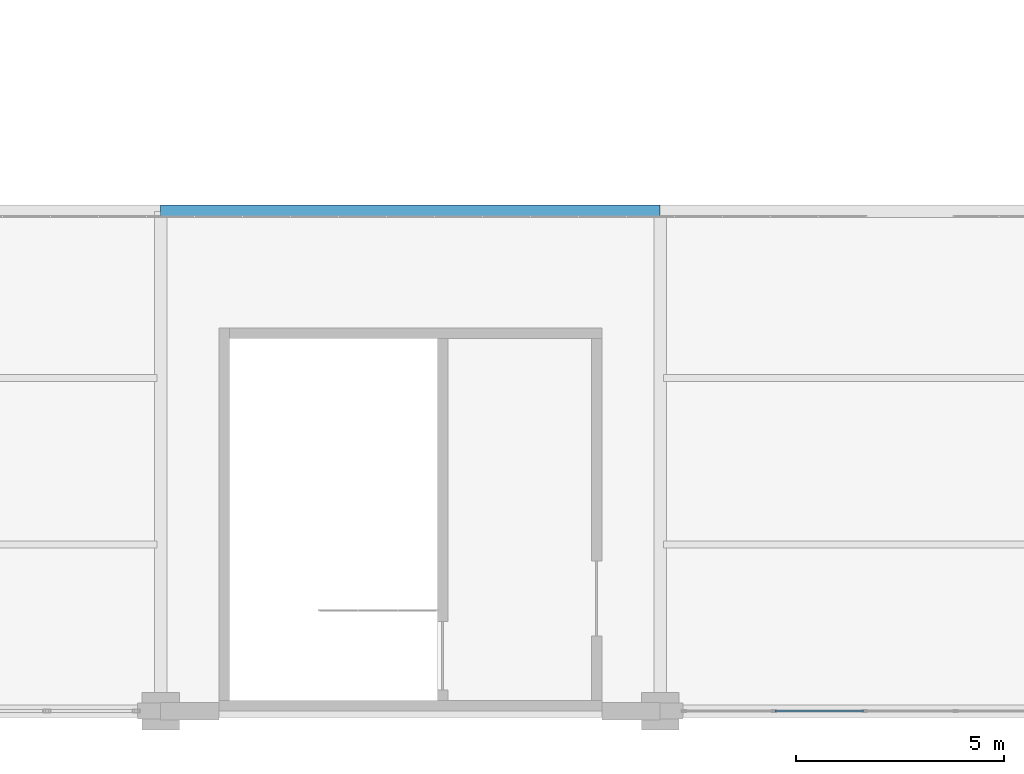
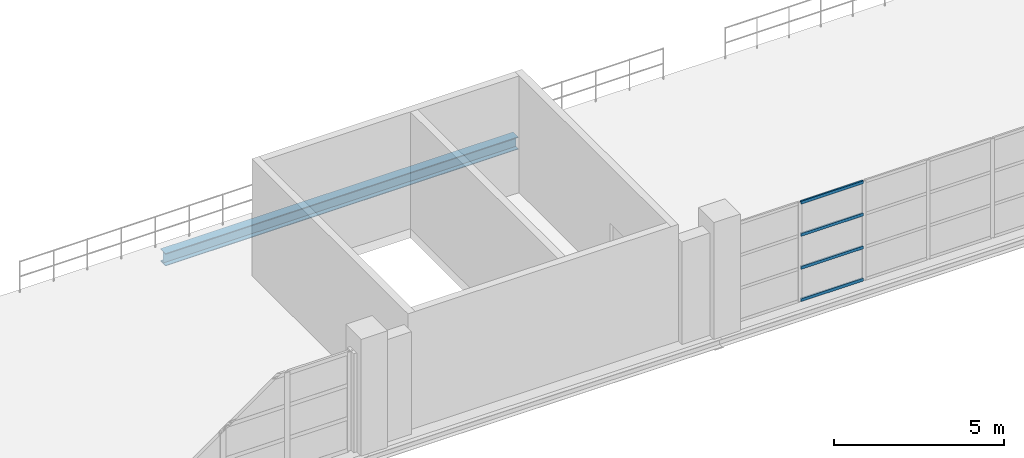
# One storey, part 66 of 158: 4 members, 1 beam, 1 element without a shape of its own.
"""IFC4 building model written with IfcOpenShell, lengths in metres."""

from ifc_helpers import new_model, si_unit, direction, frame, origin, origin_2d, place, context, subcontext, project, spatial, hollow_rectangle, i_section, extrude, material, layer, layer_set, material_profile, profile_set, type_object, element, aggregate, save


model = new_model("IFC4")

# Units and contexts
model_context = context("Model", 3, precision=1e-05, world=origin(), true_north=direction((0.0, 1.0)))
body_context = subcontext(model_context, "Body", "Model", "MODEL_VIEW")
ifc_project = project(units=[si_unit("LENGTHUNIT", "METRE"), si_unit("AREAUNIT", "SQUARE_METRE"), si_unit("VOLUMEUNIT", "CUBIC_METRE"), si_unit("PLANEANGLEUNIT", "RADIAN"), si_unit("MASSUNIT", "GRAM", prefix="KILO")], contexts=[model_context])

# Site, building, storey
site_placement = place(None, origin())
site = spatial("IfcSite", under=ifc_project, at=site_placement, CompositionType="ELEMENT")
building_placement = place(site_placement, origin())
building = spatial("IfcBuilding", under=site, at=building_placement, Name="Zilviju Railside Exhibition Hall", CompositionType="ELEMENT")
storey_placement = place(building_placement, frame((0.0, 0.0, 4.199951171875)))
storey = spatial("IfcBuildingStorey", under=building, at=storey_placement, Name="L02", CompositionType="ELEMENT", Elevation=4.199951171875)

# Beam
ifc_material_1 = material(Name="Steel S355J2", Category="steel")
ifc_material_profile_1 = material_profile(ifc_material_1, i_section(OverallWidth=0.300048828125, OverallDepth=0.449951171875, WebThickness=0.013916015625, FlangeThickness=0.02587890625, at=origin_2d()), Name="HEB 450")
ifc_profile_set_1 = profile_set([ifc_material_profile_1], Name="Steel S355J2")
beam_type = type_object("IfcBeamType", Name="BM-HEB450", PredefinedType="BEAM", material=ifc_profile_set_1)
beam_placement = place(storey_placement, frame((144.0, 12.0, -0.554931640625), z_axis=(1.0, 0.0, 0.0), x_axis=(0.0, 1.0, 0.0)))
element("IfcBeam", 1, at=beam_placement, inside=storey, type_object=beam_type, Name="Primary Girder L02 Y=12.0 (144.0..156.0)", PredefinedType="BEAM", context=body_context, shape_type="SweptSolid", body=[
    extrude(i_section(OverallWidth=0.300048828125, OverallDepth=0.449951171875, WebThickness=0.013916015625, FlangeThickness=0.02587890625, at=origin_2d()), origin(), (0.0, 0.0, 1.0), 12.0),
])

# Curtain wall, members
ifc_material_2 = material(Name="Thermally broken aluminium-steel triple-glazed curtain wall", Category="steel")
ifc_layer = layer(ifc_material_2, 0.179931640625)
ifc_layer_set = layer_set([ifc_layer], Name="Thermally broken aluminium-steel triple-glazed curtain wall")
curtain_wall_type = type_object("IfcCurtainWallType", Name="CW-BAY-12", PredefinedType="USERDEFINED", material=ifc_layer_set)
curtain_wall_placement = place(storey_placement, origin())
curtain_wall = element("IfcCurtainWall", 2, at=curtain_wall_placement, inside=storey, type_object=curtain_wall_type, Name="South Hall Facade Curtain Wall L02 (156..168)", ObjectType="GLAZED CURTAIN WALL", PredefinedType="USERDEFINED")
ifc_material_3 = material(Name="Thermally broken anodized aluminium transom", Category="aluminium")
ifc_material_profile_2 = material_profile(ifc_material_3, hollow_rectangle(XDim=0.054931640625, YDim=0.10498046875, WallThickness=0.0048828125, at=origin_2d()), Name="TRANSOM 105x55x5")
ifc_profile_set_2 = profile_set([ifc_material_profile_2], Name="Thermally broken anodized aluminium transom")
member_type = type_object("IfcMemberType", Name="CWT-55x105", PredefinedType="USERDEFINED", material=ifc_profile_set_2)
member_1_placement = place(storey_placement, frame((160.882568359375, 0.0, 0.027587890625), z_axis=(-1.0, 0.0, 0.0), x_axis=(0.0, -1.0, 0.0)))
member_1 = element("IfcMember", 3, at=member_1_placement, type_object=member_type, Name="CW-12 transom 4.1", ObjectType="TRANSOM", PredefinedType="USERDEFINED", context=body_context, shape_type="SweptSolid", body=[
    extrude(hollow_rectangle(XDim=0.054931640625, YDim=0.10498046875, WallThickness=0.0048828125, at=origin_2d()), origin(), (0.0, 0.0, 1.0), 2.125),
])
member_2_placement = place(storey_placement, frame((160.882568359375, 0.0, 1.18701171875), z_axis=(-1.0, 0.0, 0.0), x_axis=(0.0, -1.0, 0.0)))
member_2 = element("IfcMember", 4, at=member_2_placement, type_object=member_type, Name="CW-12 transom 4.2", ObjectType="TRANSOM", PredefinedType="USERDEFINED", context=body_context, shape_type="SweptSolid", body=[
    extrude(hollow_rectangle(XDim=0.054931640625, YDim=0.10498046875, WallThickness=0.0048828125, at=origin_2d()), origin(), (0.0, 0.0, 1.0), 2.125),
])
member_3_placement = place(storey_placement, frame((160.882568359375, 0.0, 2.373046875), z_axis=(-1.0, 0.0, 0.0), x_axis=(0.0, -1.0, 0.0)))
member_3 = element("IfcMember", 5, at=member_3_placement, type_object=member_type, Name="CW-12 transom 4.3", ObjectType="TRANSOM", PredefinedType="USERDEFINED", context=body_context, shape_type="SweptSolid", body=[
    extrude(hollow_rectangle(XDim=0.054931640625, YDim=0.10498046875, WallThickness=0.0048828125, at=origin_2d()), origin(), (0.0, 0.0, 1.0), 2.125),
])
member_4_placement = place(storey_placement, frame((160.882568359375, 0.0, 3.532470703125), z_axis=(-1.0, 0.0, 0.0), x_axis=(0.0, -1.0, 0.0)))
member_4 = element("IfcMember", 6, at=member_4_placement, type_object=member_type, Name="CW-12 transom 4.4", ObjectType="TRANSOM", PredefinedType="USERDEFINED", context=body_context, shape_type="SweptSolid", body=[
    extrude(hollow_rectangle(XDim=0.054931640625, YDim=0.10498046875, WallThickness=0.0048828125, at=origin_2d()), origin(), (0.0, 0.0, 1.0), 2.125),
])
aggregate(curtain_wall, [member_1, member_2, member_3, member_4])

save(model, "model.ifc")
